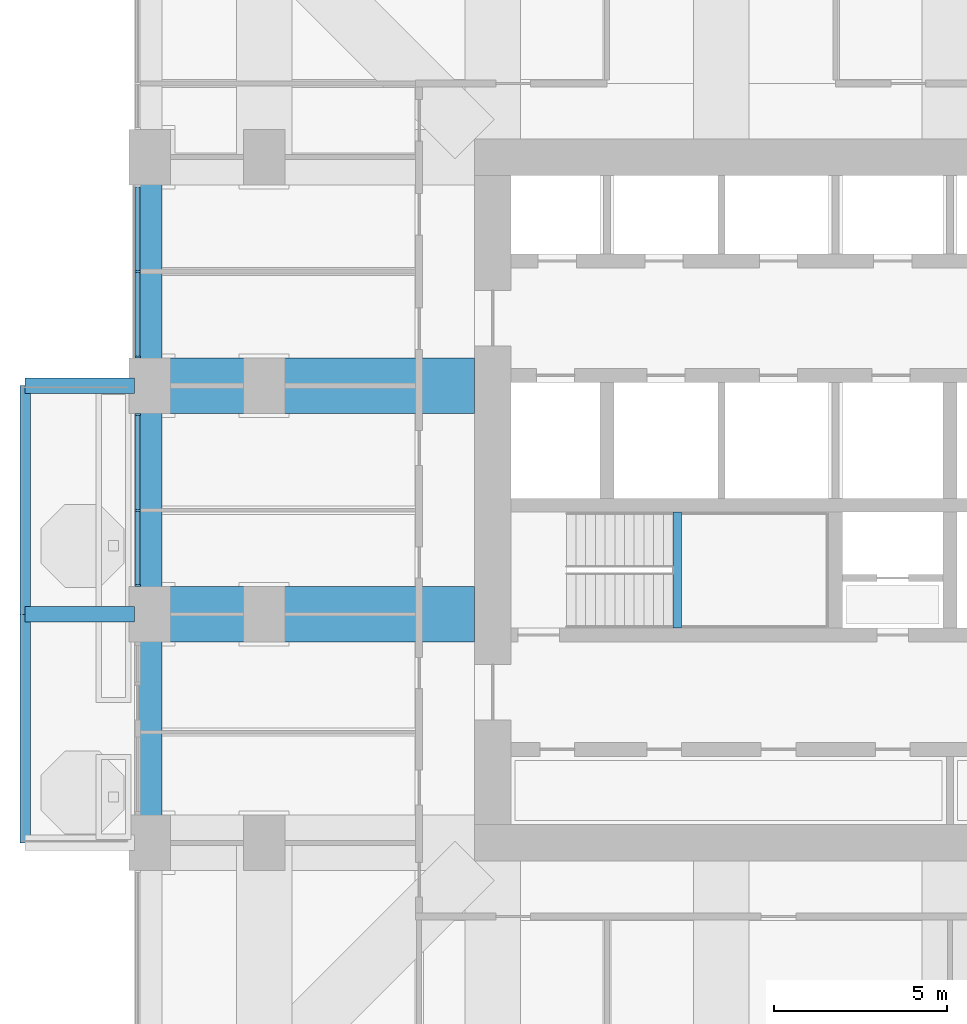
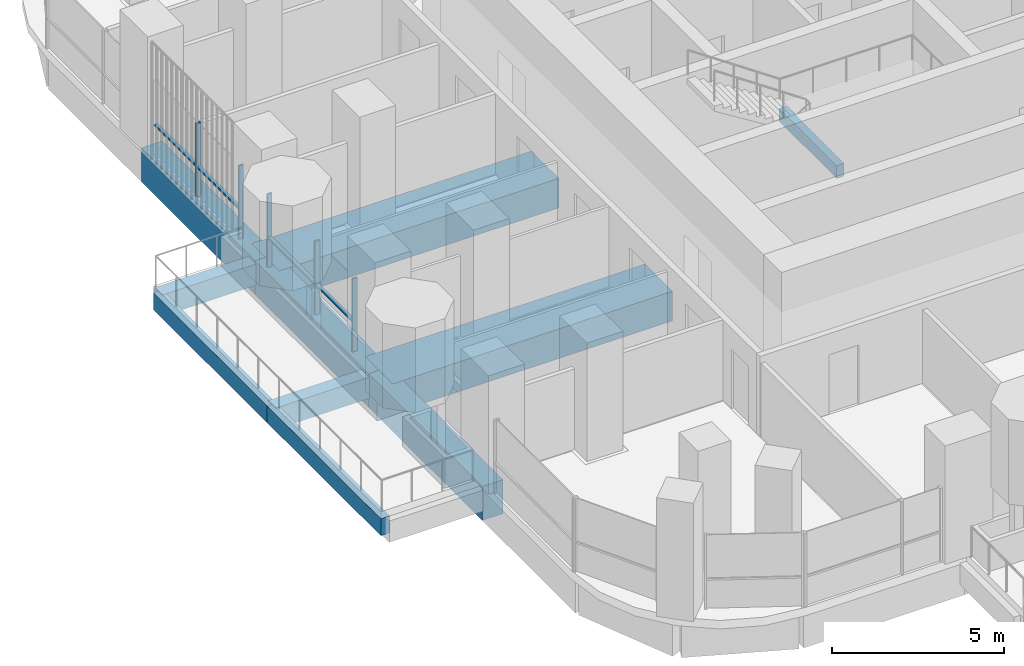
# One storey, part 4 of 20: 10 beams, 9 members, 2 elements without a shape of their own.
"""IFC4 building model written with IfcOpenShell, lengths in metres."""

from ifc_helpers import new_model, si_unit, direction, frame, origin, origin_2d, place, context, subcontext, project, spatial, rectangle, extrude, material, material_profile, profile_set, type_object, element, aggregate, save


model = new_model("IFC4")

# Units and contexts
model_context = context("Model", 3, precision=1e-05, world=origin(), true_north=direction((0.0, 1.0)))
body_context = subcontext(model_context, "Body", "Model", "MODEL_VIEW")
ifc_project = project(units=[si_unit("LENGTHUNIT", "METRE"), si_unit("AREAUNIT", "SQUARE_METRE"), si_unit("VOLUMEUNIT", "CUBIC_METRE"), si_unit("PLANEANGLEUNIT", "RADIAN"), si_unit("MASSUNIT", "GRAM", prefix="KILO")], contexts=[model_context])

# Site, building, storey
site_placement = place(None, origin())
site = spatial("IfcSite", under=ifc_project, at=site_placement, CompositionType="ELEMENT")
building_placement = place(site_placement, origin())
building = spatial("IfcBuilding", under=site, at=building_placement, Name="Cobogo Forest Laboratory Tower", CompositionType="ELEMENT")
storey_placement = place(building_placement, frame((0.0, 0.0, 210.300048828125)))
storey = spatial("IfcBuildingStorey", under=building, at=storey_placement, Name="L48", CompositionType="ELEMENT", Elevation=210.300048828125)

# Beams
ifc_material_1 = material(Name="Concrete HA-40 (C40/50)", Category="concrete")
ifc_material_profile_1 = material_profile(ifc_material_1, rectangle(XDim=0.449951171875, YDim=0.75, at=origin_2d()), Name="RC 450x750")
ifc_profile_set_1 = profile_set([ifc_material_profile_1], Name="Concrete HA-40 (C40/50)")
beam_type_1 = type_object("IfcBeamType", Name="Balcony cantilever beam 450x750", PredefinedType="BEAM", material=ifc_profile_set_1)
for number, where, z_axis, x_axis, name in (
    (1, (2.85009765625, 19.800048828125, -0.625), (-1.0, 0.0, 0.0), (0.0, -1.0, 0.0), "CB1 BAL-W1-C2 L48"),
    (2, (2.85009765625, 26.39990234375, -0.625), (-1.0, 0.0, 0.0), (0.0, -1.0, 0.0), "CB1 BAL-W1-C3 L48"),
):
    element("IfcBeam", number, at=place(storey_placement, frame(where, z_axis=z_axis, x_axis=x_axis)), inside=storey, type_object=beam_type_1, Name=name, PredefinedType="BEAM", context=body_context, shape_type="SweptSolid", body=[
        extrude(rectangle(XDim=0.449951171875, YDim=0.75, at=origin_2d()), origin(), (0.0, 0.0, 1.0), 3.150146484375),
    ])
ifc_material_profile_2 = material_profile(ifc_material_1, rectangle(XDim=0.300048828125, YDim=0.60009765625, at=origin_2d()), Name="RC 300x600")
ifc_profile_set_2 = profile_set([ifc_material_profile_2], Name="Concrete HA-40 (C40/50)")
beam_type_2 = type_object("IfcBeamType", Name="Balcony edge beam 300x600", PredefinedType="BEAM", material=ifc_profile_set_2)
beam_1_placement = place(storey_placement, frame((-0.300048828125, 13.199951171875, -0.550048828125), z_axis=(0.0, 1.0, 0.0), x_axis=(-1.0, 0.0, 0.0)))
element("IfcBeam", 3, at=beam_1_placement, inside=storey, type_object=beam_type_2, Name="BB1 BAL-W1-T1 L48", PredefinedType="BEAM", context=body_context, shape_type="SweptSolid", body=[
    extrude(rectangle(XDim=0.300048828125, YDim=0.60009765625, at=origin_2d()), origin(), (0.0, 0.0, 1.0), 6.60009765625),
])
beam_2_placement = place(storey_placement, frame((-0.300048828125, 19.800048828125, -0.550048828125), z_axis=(0.0, 1.0, 0.0), x_axis=(-1.0, 0.0, 0.0)))
element("IfcBeam", 4, at=beam_2_placement, inside=storey, type_object=beam_type_2, Name="BB1 BAL-W1-T2 L48", PredefinedType="BEAM", context=body_context, shape_type="SweptSolid", body=[
    extrude(rectangle(XDim=0.300048828125, YDim=0.60009765625, at=origin_2d()), origin(), (0.0, 0.0, 1.0), 6.599853515625),
])
ifc_material_profile_3 = material_profile(ifc_material_1, rectangle(XDim=0.25, YDim=0.449951171875, at=origin_2d()), Name="RC 250x450")
ifc_profile_set_3 = profile_set([ifc_material_profile_3], Name="Concrete HA-40 (C40/50)")
beam_type_3 = type_object("IfcBeamType", Name="LB1 landing beam 250x450", PredefinedType="BEAM", material=ifc_profile_set_3)
beam_3_placement = place(storey_placement, frame((18.530029296875, 19.39990234375, 1.675048828125), z_axis=(0.0, 1.0, 0.0), x_axis=(-1.0, 0.0, 0.0)))
element("IfcBeam", 5, at=beam_3_placement, inside=storey, type_object=beam_type_3, Name="Landing beam ST1 L48", PredefinedType="BEAM", context=body_context, shape_type="SweptSolid", body=[
    extrude(rectangle(XDim=0.25, YDim=0.449951171875, at=origin_2d()), origin(), (0.0, 0.0, 1.0), 3.35009765625),
])
ifc_material_2 = material(Name="Concrete HA-50 (C50/60)", Category="concrete")
ifc_material_profile_4 = material_profile(ifc_material_2, rectangle(XDim=1.60009765625, YDim=1.050048828125, at=origin_2d()), Name="RC 1600x1050")
ifc_profile_set_4 = profile_set([ifc_material_profile_4], Name="Concrete HA-50 (C50/60)")
beam_type_4 = type_object("IfcBeamType", Name="Laboratory floor wide beam 1600x1050", PredefinedType="BEAM", material=ifc_profile_set_4)
for number, where, z_axis, x_axis, name in (
    (6, (12.675048828125, 19.800048828125, -0.824951171875), (-1.0, 0.0, 0.0), (0.0, -1.0, 0.0), "RB8 R-D-W L48"),
    (7, (12.675048828125, 26.39990234375, -0.824951171875), (-1.0, 0.0, 0.0), (0.0, -1.0, 0.0), "RB8 R-E-W L48"),
):
    element("IfcBeam", number, at=place(storey_placement, frame(where, z_axis=z_axis, x_axis=x_axis)), inside=storey, type_object=beam_type_4, Name=name, PredefinedType="BEAM", context=body_context, shape_type="SweptSolid", body=[
        extrude(rectangle(XDim=1.60009765625, YDim=1.050048828125, at=origin_2d()), origin(), (0.0, 0.0, 1.0), 9.375),
    ])

# Curtain wall, members
ifc_material_3 = material(Name="Aluminium curtain wall", Category="aluminium")
curtain_wall_type = type_object("IfcCurtainWallType", Name="CW-2 unitised curtain wall, solar control glazing, laboratory floors zones C and D", PredefinedType="USERDEFINED", material=ifc_material_3)
curtain_wall_1_placement = place(storey_placement, origin())
curtain_wall_1 = element("IfcCurtainWall", 8, at=curtain_wall_1_placement, inside=storey, type_object=curtain_wall_type, Name="Curtain wall 25 L48", ObjectType="UNITISED CURTAIN WALL", PredefinedType="USERDEFINED")
ifc_material_4 = material(Name="Aluminium mullion", Category="aluminium")
ifc_material_profile_5 = material_profile(ifc_material_4, rectangle(XDim=0.06005859375, YDim=0.159912109375, at=origin_2d()), Name="AL 60x160")
ifc_profile_set_5 = profile_set([ifc_material_profile_5], Name="Aluminium mullion")
member_type_1 = type_object("IfcMemberType", Name="MU-1 aluminium mullion 60x160", PredefinedType="MULLION", material=ifc_profile_set_5)
member_1_placement = place(storey_placement, frame((2.949951171875, 29.699951171875, 0.0), z_axis=(0.0, 0.0, 1.0), x_axis=(0.0, -1.0, 0.0)))
member_1 = element("IfcMember", 9, at=member_1_placement, type_object=member_type_1, Name="CW-2 mullion 2", PredefinedType="MULLION", context=body_context, shape_type="SweptSolid", body=[
    extrude(rectangle(XDim=0.06005859375, YDim=0.159912109375, at=origin_2d()), origin(), (0.0, 0.0, 1.0), 2.599853515625),
])
member_2_placement = place(storey_placement, frame((2.949951171875, 27.22998046875, 0.0), z_axis=(0.0, 0.0, 1.0), x_axis=(0.0, -1.0, 0.0)))
member_2 = element("IfcMember", 10, at=member_2_placement, type_object=member_type_1, Name="CW-2 mullion 3", PredefinedType="MULLION", context=body_context, shape_type="SweptSolid", body=[
    extrude(rectangle(XDim=0.06005859375, YDim=0.159912109375, at=origin_2d()), origin(), (0.0, 0.0, 1.0), 2.599853515625),
])

curtain_wall_2_placement = place(storey_placement, origin())
curtain_wall_2 = element("IfcCurtainWall", 11, at=curtain_wall_2_placement, inside=storey, type_object=curtain_wall_type, Name="Curtain wall 26 L48", ObjectType="UNITISED CURTAIN WALL", PredefinedType="USERDEFINED")
member_3_placement = place(storey_placement, frame((2.949951171875, 25.570068359375, 0.0), z_axis=(0.0, 0.0, 1.0), x_axis=(0.0, -1.0, 0.0)))
member_3 = element("IfcMember", 12, at=member_3_placement, type_object=member_type_1, Name="CW-2 mullion 1", PredefinedType="MULLION", context=body_context, shape_type="SweptSolid", body=[
    extrude(rectangle(XDim=0.06005859375, YDim=0.159912109375, at=origin_2d()), origin(), (0.0, 0.0, 1.0), 2.599853515625),
])
member_4_placement = place(storey_placement, frame((2.949951171875, 22.800048828125, 0.0), z_axis=(0.0, 0.0, 1.0), x_axis=(0.0, -1.0, 0.0)))
member_4 = element("IfcMember", 13, at=member_4_placement, type_object=member_type_1, Name="CW-2 mullion 2", PredefinedType="MULLION", context=body_context, shape_type="SweptSolid", body=[
    extrude(rectangle(XDim=0.06005859375, YDim=0.159912109375, at=origin_2d()), origin(), (0.0, 0.0, 1.0), 2.599853515625),
])
member_5_placement = place(storey_placement, frame((2.949951171875, 20.6298828125, 0.0), z_axis=(0.0, 0.0, 1.0), x_axis=(0.0, -1.0, 0.0)))
member_5 = element("IfcMember", 14, at=member_5_placement, type_object=member_type_1, Name="CW-2 mullion 3", PredefinedType="MULLION", context=body_context, shape_type="SweptSolid", body=[
    extrude(rectangle(XDim=0.06005859375, YDim=0.159912109375, at=origin_2d()), origin(), (0.0, 0.0, 1.0), 2.599853515625),
])

# Beams
ifc_material_profile_6 = material_profile(ifc_material_1, rectangle(XDim=0.699951171875, YDim=1.199951171875, at=origin_2d()), Name="RC 700x1200")
ifc_profile_set_6 = profile_set([ifc_material_profile_6], Name="Concrete HA-40 (C40/50)")
beam_type_5 = type_object("IfcBeamType", Name="Perimeter edge beam 700x1200", PredefinedType="BEAM", material=ifc_profile_set_6)
beam_4_placement = place(storey_placement, frame((3.300048828125, 13.199951171875, -0.900146484375), z_axis=(0.0, 1.0, 0.0), x_axis=(-1.0, 0.0, 0.0)))
element("IfcBeam", 15, at=beam_4_placement, inside=storey, type_object=beam_type_5, Name="EB1 E-W1 L48", PredefinedType="BEAM", context=body_context, shape_type="SweptSolid", body=[
    extrude(rectangle(XDim=0.699951171875, YDim=1.199951171875, at=origin_2d()), origin(), (0.0, 0.0, 1.0), 6.60009765625),
])
beam_5_placement = place(storey_placement, frame((3.300048828125, 19.800048828125, -0.900146484375), z_axis=(0.0, 1.0, 0.0), x_axis=(-1.0, 0.0, 0.0)))
element("IfcBeam", 16, at=beam_5_placement, inside=storey, type_object=beam_type_5, Name="EB1 E-W2 L48", PredefinedType="BEAM", context=body_context, shape_type="SweptSolid", body=[
    extrude(rectangle(XDim=0.699951171875, YDim=1.199951171875, at=origin_2d()), origin(), (0.0, 0.0, 1.0), 6.599853515625),
])
beam_6_placement = place(storey_placement, frame((3.300048828125, 26.39990234375, -0.900146484375), z_axis=(0.0, 1.0, 0.0), x_axis=(-1.0, 0.0, 0.0)))
element("IfcBeam", 17, at=beam_6_placement, inside=storey, type_object=beam_type_5, Name="EB1 E-W3 L48", PredefinedType="BEAM", context=body_context, shape_type="SweptSolid", body=[
    extrude(rectangle(XDim=0.699951171875, YDim=1.199951171875, at=origin_2d()), origin(), (0.0, 0.0, 1.0), 6.60009765625),
])

# Member
ifc_material_5 = material(Name="Aluminium transom", Category="aluminium")
ifc_material_profile_7 = material_profile(ifc_material_5, rectangle(XDim=0.1201171875, YDim=0.06005859375, at=origin_2d()), Name="AL 60x120")
ifc_profile_set_7 = profile_set([ifc_material_profile_7], Name="Aluminium transom")
member_type_2 = type_object("IfcMemberType", Name="TR-1 aluminium transom 60x120", PredefinedType="USERDEFINED", material=ifc_profile_set_7)
member_6_placement = place(storey_placement, frame((2.949951171875, 32.139892578125, 1.050048828125), z_axis=(0.0, -1.0, 0.0), x_axis=(1.0, 0.0, 0.0)))
member_6 = element("IfcMember", 18, at=member_6_placement, type_object=member_type_2, Name="CW-2 transom 1.1", ObjectType="TRANSOM", PredefinedType="USERDEFINED", context=body_context, shape_type="SweptSolid", body=[
    extrude(rectangle(XDim=0.1201171875, YDim=0.06005859375, at=origin_2d()), origin(), (0.0, 0.0, 1.0), 2.409912109375),
])

member_7_placement = place(storey_placement, frame((2.949951171875, 29.669921875, 1.050048828125), z_axis=(0.0, -1.0, 0.0), x_axis=(1.0, 0.0, 0.0)))
member_7 = element("IfcMember", 19, at=member_7_placement, type_object=member_type_2, Name="CW-2 transom 2.1", ObjectType="TRANSOM", PredefinedType="USERDEFINED", context=body_context, shape_type="SweptSolid", body=[
    extrude(rectangle(XDim=0.1201171875, YDim=0.06005859375, at=origin_2d()), origin(), (0.0, 0.0, 1.0), 2.409912109375),
])

aggregate(curtain_wall_1, [member_1, member_2, member_6, member_7])

member_8_placement = place(storey_placement, frame((2.949951171875, 25.5400390625, 1.050048828125), z_axis=(0.0, -1.0, 0.0), x_axis=(1.0, 0.0, 0.0)))
member_8 = element("IfcMember", 20, at=member_8_placement, type_object=member_type_2, Name="CW-2 transom 1.1", ObjectType="TRANSOM", PredefinedType="USERDEFINED", context=body_context, shape_type="SweptSolid", body=[
    extrude(rectangle(XDim=0.1201171875, YDim=0.06005859375, at=origin_2d()), origin(), (0.0, 0.0, 1.0), 2.7099609375),
])

member_9_placement = place(storey_placement, frame((2.949951171875, 22.77001953125, 1.050048828125), z_axis=(0.0, -1.0, 0.0), x_axis=(1.0, 0.0, 0.0)))
member_9 = element("IfcMember", 21, at=member_9_placement, type_object=member_type_2, Name="CW-2 transom 2.1", ObjectType="TRANSOM", PredefinedType="USERDEFINED", context=body_context, shape_type="SweptSolid", body=[
    extrude(rectangle(XDim=0.1201171875, YDim=0.06005859375, at=origin_2d()), origin(), (0.0, 0.0, 1.0), 2.110107421875),
])

aggregate(curtain_wall_2, [member_3, member_4, member_5, member_8, member_9])

save(model, "model.ifc")
